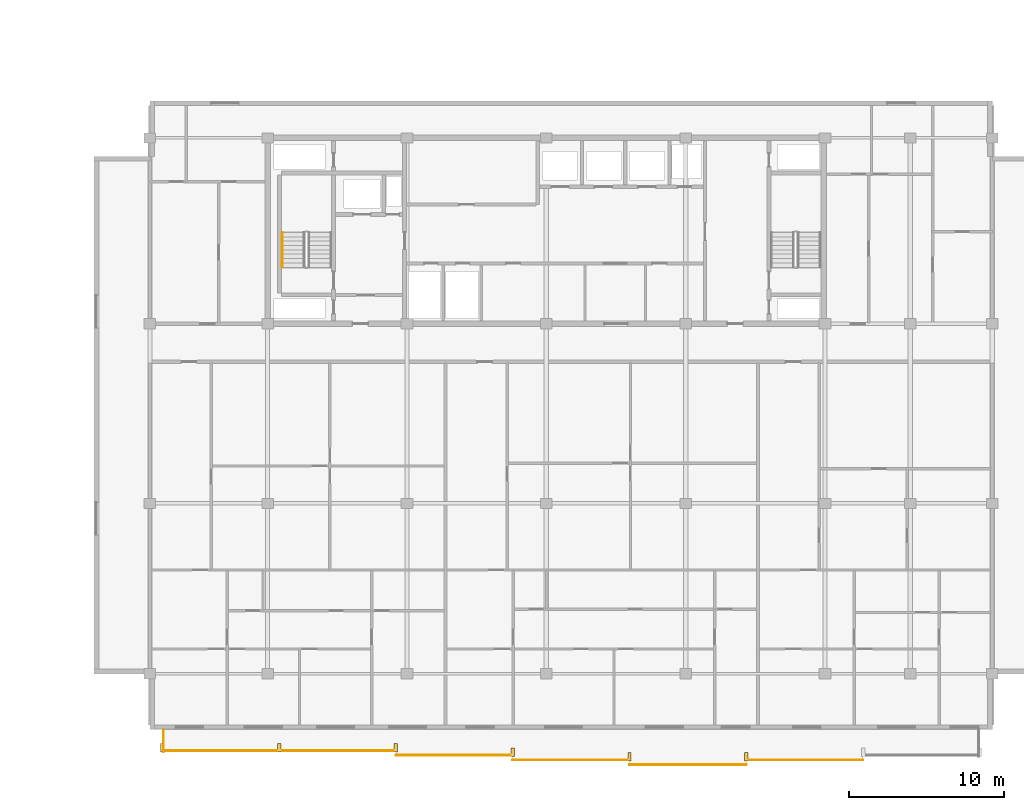
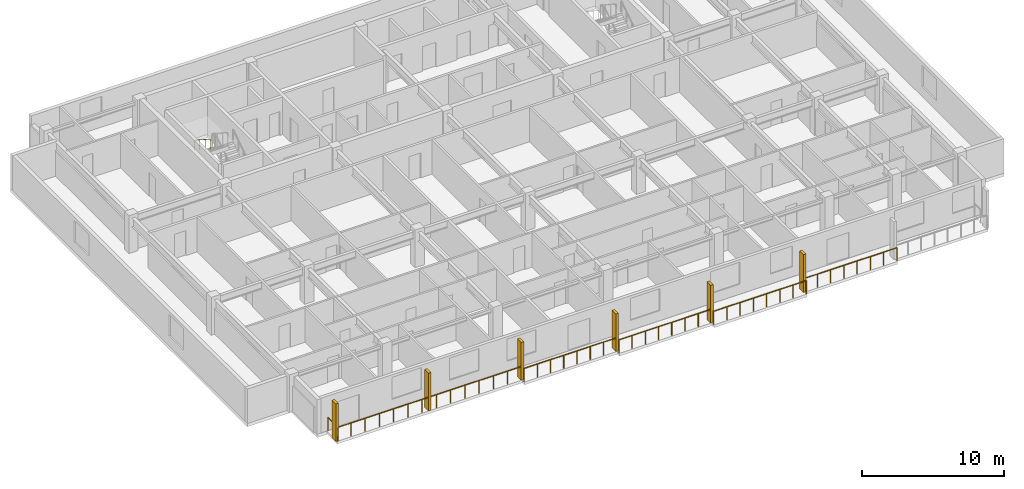
# One storey, part 19 of 23: 7 railings, 6 shading devices.
"""IFC4 building model written with IfcOpenShell, lengths in metres."""

from ifc_helpers import new_model, si_unit, direction, frame, origin, origin_2d, place, context, subcontext, project, spatial, rectangle, circle, extrude, material, type_object, element, save


model = new_model("IFC4")

# Units and contexts
model_context = context("Model", 3, precision=1e-05, world=origin(), true_north=direction((0.0, 1.0)))
body_context = subcontext(model_context, "Body", "Model", "MODEL_VIEW")
ifc_project = project(units=[si_unit("LENGTHUNIT", "METRE"), si_unit("AREAUNIT", "SQUARE_METRE"), si_unit("VOLUMEUNIT", "CUBIC_METRE"), si_unit("PLANEANGLEUNIT", "RADIAN"), si_unit("MASSUNIT", "GRAM", prefix="KILO")], contexts=[model_context])

# Site, building, storey
site_placement = place(None, origin())
site = spatial("IfcSite", under=ifc_project, at=site_placement, CompositionType="ELEMENT")
building_placement = place(site_placement, origin())
building = spatial("IfcBuilding", under=site, at=building_placement, Name="Korimba Cascade Residences", CompositionType="ELEMENT")
storey_placement = place(building_placement, frame((0.0, 0.0, 165.35009765625)))
storey = spatial("IfcBuildingStorey", under=building, at=storey_placement, Name="L47", CompositionType="ELEMENT", Elevation=165.35009765625)

# Railings
ifc_material_1 = material(Name="Laminated Glass and Bronze Balustrade", Category="glass")
railing_type_1 = type_object("IfcRailingType", Name="RLG-LOG-1150", PredefinedType="BALUSTRADE", material=ifc_material_1)
railing_1_placement = place(storey_placement, frame((75.300048828125, -9.169921875, 0.0)))
element("IfcRailing", 1, at=railing_1_placement, inside=storey, type_object=railing_type_1, Name="L47 Perimeter Guardrail RLG-L47-T2-LOG-01", PredefinedType="BALUSTRADE", context=body_context, shape_type="SweptSolid", body=[
    extrude(circle(Radius=0.02392578125, at=origin_2d()), frame((0.0, 0.0, 1.1259765625), z_axis=(1.0, 0.0, 0.0), x_axis=(0.0, 1.0, 0.0)), (0.0, 0.0, 1.0), 15.085693359375),
    extrude(circle(Radius=0.02099609375, at=origin_2d()), origin(), (0.0, 0.0, 1.0), 1.101806640625),
    extrude(circle(Radius=0.02099609375, at=origin_2d()), frame((1.160400390625, 0.0, 0.0)), (0.0, 0.0, 1.0), 1.101806640625),
    extrude(circle(Radius=0.02099609375, at=origin_2d()), frame((2.32080078125, 0.0, 0.0)), (0.0, 0.0, 1.0), 1.101806640625),
    extrude(circle(Radius=0.02099609375, at=origin_2d()), frame((3.481201171875, 0.0, 0.0)), (0.0, 0.0, 1.0), 1.101806640625),
    extrude(circle(Radius=0.02099609375, at=origin_2d()), frame((4.641845703125, 0.0, 0.0)), (0.0, 0.0, 1.0), 1.101806640625),
    extrude(circle(Radius=0.02099609375, at=origin_2d()), frame((5.80224609375, 0.0, 0.0)), (0.0, 0.0, 1.0), 1.101806640625),
    extrude(circle(Radius=0.02099609375, at=origin_2d()), frame((6.962646484375, 0.0, 0.0)), (0.0, 0.0, 1.0), 1.101806640625),
    extrude(circle(Radius=0.02099609375, at=origin_2d()), frame((8.123046875, 0.0, 0.0)), (0.0, 0.0, 1.0), 1.101806640625),
    extrude(circle(Radius=0.02099609375, at=origin_2d()), frame((9.283447265625, 0.0, 0.0)), (0.0, 0.0, 1.0), 1.101806640625),
    extrude(circle(Radius=0.02099609375, at=origin_2d()), frame((10.44384765625, 0.0, 0.0)), (0.0, 0.0, 1.0), 1.101806640625),
    extrude(circle(Radius=0.02099609375, at=origin_2d()), frame((11.6044921875, 0.0, 0.0)), (0.0, 0.0, 1.0), 1.101806640625),
    extrude(circle(Radius=0.02099609375, at=origin_2d()), frame((12.764892578125, 0.0, 0.0)), (0.0, 0.0, 1.0), 1.101806640625),
    extrude(circle(Radius=0.02099609375, at=origin_2d()), frame((13.92529296875, 0.0, 0.0)), (0.0, 0.0, 1.0), 1.101806640625),
    extrude(circle(Radius=0.02099609375, at=origin_2d()), frame((15.085693359375, 0.0, 0.0)), (0.0, 0.0, 1.0), 1.101806640625),
])
railing_2_placement = place(storey_placement, frame((90.3857421875, -9.469970703125, 0.0)))
element("IfcRailing", 2, at=railing_2_placement, inside=storey, type_object=railing_type_1, Name="L47 Perimeter Guardrail RLG-L47-T2-LOG-02", PredefinedType="BALUSTRADE", context=body_context, shape_type="SweptSolid", body=[
    extrude(circle(Radius=0.02392578125, at=origin_2d()), frame((0.0, 0.0, 1.1259765625), z_axis=(1.0, 0.0, 0.0), x_axis=(0.0, 1.0, 0.0)), (0.0, 0.0, 1.0), 7.54296875),
    extrude(circle(Radius=0.02099609375, at=origin_2d()), origin(), (0.0, 0.0, 1.0), 1.101806640625),
    extrude(circle(Radius=0.02099609375, at=origin_2d()), frame((1.07763671875, 0.0, 0.0)), (0.0, 0.0, 1.0), 1.101806640625),
    extrude(circle(Radius=0.02099609375, at=origin_2d()), frame((2.155029296875, 0.0, 0.0)), (0.0, 0.0, 1.0), 1.101806640625),
    extrude(circle(Radius=0.02099609375, at=origin_2d()), frame((3.232666015625, 0.0, 0.0)), (0.0, 0.0, 1.0), 1.101806640625),
    extrude(circle(Radius=0.02099609375, at=origin_2d()), frame((4.310302734375, 0.0, 0.0)), (0.0, 0.0, 1.0), 1.101806640625),
    extrude(circle(Radius=0.02099609375, at=origin_2d()), frame((5.387939453125, 0.0, 0.0)), (0.0, 0.0, 1.0), 1.101806640625),
    extrude(circle(Radius=0.02099609375, at=origin_2d()), frame((6.46533203125, 0.0, 0.0)), (0.0, 0.0, 1.0), 1.101806640625),
    extrude(circle(Radius=0.02099609375, at=origin_2d()), frame((7.54296875, 0.0, 0.0)), (0.0, 0.0, 1.0), 1.101806640625),
])
railing_3_placement = place(storey_placement, frame((97.9287109375, -9.77001953125, 0.0)))
element("IfcRailing", 3, at=railing_3_placement, inside=storey, type_object=railing_type_1, Name="L47 Perimeter Guardrail RLG-L47-T2-LOG-03", PredefinedType="BALUSTRADE", context=body_context, shape_type="SweptSolid", body=[
    extrude(circle(Radius=0.02392578125, at=origin_2d()), frame((0.0, 0.0, 1.1259765625), z_axis=(1.0, 0.0, 0.0), x_axis=(0.0, 1.0, 0.0)), (0.0, 0.0, 1.0), 7.542724609375),
    extrude(circle(Radius=0.02099609375, at=origin_2d()), origin(), (0.0, 0.0, 1.0), 1.101806640625),
    extrude(circle(Radius=0.02099609375, at=origin_2d()), frame((1.07763671875, 0.0, 0.0)), (0.0, 0.0, 1.0), 1.101806640625),
    extrude(circle(Radius=0.02099609375, at=origin_2d()), frame((2.155029296875, 0.0, 0.0)), (0.0, 0.0, 1.0), 1.101806640625),
    extrude(circle(Radius=0.02099609375, at=origin_2d()), frame((3.232666015625, 0.0, 0.0)), (0.0, 0.0, 1.0), 1.101806640625),
    extrude(circle(Radius=0.02099609375, at=origin_2d()), frame((4.31005859375, 0.0, 0.0)), (0.0, 0.0, 1.0), 1.101806640625),
    extrude(circle(Radius=0.02099609375, at=origin_2d()), frame((5.3876953125, 0.0, 0.0)), (0.0, 0.0, 1.0), 1.101806640625),
    extrude(circle(Radius=0.02099609375, at=origin_2d()), frame((6.465087890625, 0.0, 0.0)), (0.0, 0.0, 1.0), 1.101806640625),
    extrude(circle(Radius=0.02099609375, at=origin_2d()), frame((7.542724609375, 0.0, 0.0)), (0.0, 0.0, 1.0), 1.101806640625),
])
railing_4_placement = place(storey_placement, frame((105.471435546875, -10.070068359375, 0.0)))
element("IfcRailing", 4, at=railing_4_placement, inside=storey, type_object=railing_type_1, Name="L47 Perimeter Guardrail RLG-L47-T2-LOG-04", PredefinedType="BALUSTRADE", context=body_context, shape_type="SweptSolid", body=[
    extrude(circle(Radius=0.02392578125, at=origin_2d()), frame((0.0, 0.0, 1.1259765625), z_axis=(1.0, 0.0, 0.0), x_axis=(0.0, 1.0, 0.0)), (0.0, 0.0, 1.0), 7.54296875),
    extrude(circle(Radius=0.02099609375, at=origin_2d()), origin(), (0.0, 0.0, 1.0), 1.101806640625),
    extrude(circle(Radius=0.02099609375, at=origin_2d()), frame((1.07763671875, 0.0, 0.0)), (0.0, 0.0, 1.0), 1.101806640625),
    extrude(circle(Radius=0.02099609375, at=origin_2d()), frame((2.155029296875, 0.0, 0.0)), (0.0, 0.0, 1.0), 1.101806640625),
    extrude(circle(Radius=0.02099609375, at=origin_2d()), frame((3.232666015625, 0.0, 0.0)), (0.0, 0.0, 1.0), 1.101806640625),
    extrude(circle(Radius=0.02099609375, at=origin_2d()), frame((4.310302734375, 0.0, 0.0)), (0.0, 0.0, 1.0), 1.101806640625),
    extrude(circle(Radius=0.02099609375, at=origin_2d()), frame((5.387939453125, 0.0, 0.0)), (0.0, 0.0, 1.0), 1.101806640625),
    extrude(circle(Radius=0.02099609375, at=origin_2d()), frame((6.46533203125, 0.0, 0.0)), (0.0, 0.0, 1.0), 1.101806640625),
    extrude(circle(Radius=0.02099609375, at=origin_2d()), frame((7.54296875, 0.0, 0.0)), (0.0, 0.0, 1.0), 1.101806640625),
])
railing_5_placement = place(storey_placement, frame((113.014404296875, -9.77001953125, 0.0)))
element("IfcRailing", 5, at=railing_5_placement, inside=storey, type_object=railing_type_1, Name="L47 Perimeter Guardrail RLG-L47-T2-LOG-05", PredefinedType="BALUSTRADE", context=body_context, shape_type="SweptSolid", body=[
    extrude(circle(Radius=0.02392578125, at=origin_2d()), frame((0.0, 0.0, 1.1259765625), z_axis=(1.0, 0.0, 0.0), x_axis=(0.0, 1.0, 0.0)), (0.0, 0.0, 1.0), 7.542724609375),
    extrude(circle(Radius=0.02099609375, at=origin_2d()), origin(), (0.0, 0.0, 1.0), 1.101806640625),
    extrude(circle(Radius=0.02099609375, at=origin_2d()), frame((1.07763671875, 0.0, 0.0)), (0.0, 0.0, 1.0), 1.101806640625),
    extrude(circle(Radius=0.02099609375, at=origin_2d()), frame((2.155029296875, 0.0, 0.0)), (0.0, 0.0, 1.0), 1.101806640625),
    extrude(circle(Radius=0.02099609375, at=origin_2d()), frame((3.232666015625, 0.0, 0.0)), (0.0, 0.0, 1.0), 1.101806640625),
    extrude(circle(Radius=0.02099609375, at=origin_2d()), frame((4.31005859375, 0.0, 0.0)), (0.0, 0.0, 1.0), 1.101806640625),
    extrude(circle(Radius=0.02099609375, at=origin_2d()), frame((5.3876953125, 0.0, 0.0)), (0.0, 0.0, 1.0), 1.101806640625),
    extrude(circle(Radius=0.02099609375, at=origin_2d()), frame((6.465087890625, 0.0, 0.0)), (0.0, 0.0, 1.0), 1.101806640625),
    extrude(circle(Radius=0.02099609375, at=origin_2d()), frame((7.542724609375, 0.0, 0.0)), (0.0, 0.0, 1.0), 1.101806640625),
])
railing_6_placement = place(storey_placement, frame((75.3798828125, -7.800048828125, 0.0)))
element("IfcRailing", 6, at=railing_6_placement, inside=storey, type_object=railing_type_1, Name="L47 Perimeter Guardrail RLG-L47-T2-LOG-08", PredefinedType="BALUSTRADE", context=body_context, shape_type="SweptSolid", body=[
    extrude(circle(Radius=0.02392578125, at=origin_2d()), frame((0.0, 0.0, 1.1259765625), z_axis=(0.0, -1.0, 0.0), x_axis=(1.0, 0.0, 0.0)), (0.0, 0.0, 1.0), 1.449951171875),
    extrude(circle(Radius=0.02099609375, at=origin_2d()), origin(), (0.0, 0.0, 1.0), 1.101806640625),
    extrude(circle(Radius=0.02099609375, at=origin_2d()), frame((0.0, -0.72509765625, 0.0)), (0.0, 0.0, 1.0), 1.101806640625),
    extrude(circle(Radius=0.02099609375, at=origin_2d()), frame((0.0, -1.449951171875, 0.0)), (0.0, 0.0, 1.0), 1.101806640625),
])
ifc_material_2 = material(Name="Brushed Stainless Steel Handrail", Category="steel")
railing_type_2 = type_object("IfcRailingType", Name="RLG-ST-HR900", PredefinedType="HANDRAIL", material=ifc_material_2)
railing_7_placement = place(storey_placement, frame((83.050048828125, 24.2900390625, 1.98974609375)))
element("IfcRailing", 7, at=railing_7_placement, inside=storey, type_object=railing_type_2, Name="L47 ST-E1 stair handrail 2", PredefinedType="HANDRAIL", context=body_context, shape_type="SweptSolid", body=[
    extrude(circle(Radius=0.02392578125, at=origin_2d()), frame((0.0, 0.0, 0.8759765625), z_axis=(0.0, -0.840394893359, 0.541974559565), x_axis=(1.0, 0.0, 0.0)), (0.0, 0.0, 1.0), 2.665283203125),
    extrude(circle(Radius=0.02099609375, at=origin_2d()), origin(), (0.0, 0.0, 1.0), 0.851806640625),
    extrude(circle(Radius=0.02099609375, at=origin_2d()), frame((0.0, -0.74658203125, 0.4814453125)), (0.0, 0.0, 1.0), 0.851806640625),
    extrude(circle(Radius=0.02099609375, at=origin_2d()), frame((0.0, -1.493408203125, 0.963134765625)), (0.0, 0.0, 1.0), 0.851806640625),
    extrude(circle(Radius=0.02099609375, at=origin_2d()), frame((0.0, -2.239990234375, 1.444580078125)), (0.0, 0.0, 1.0), 0.851806640625),
])

# Shading devices
ifc_material_3 = material(Name="Honed Sandstone Precast Fin", Category="masonry")
shading_device_type = type_object("IfcShadingDeviceType", Name="SHD-FIN-550", PredefinedType="USERDEFINED", material=ifc_material_3)
for number, where, z_axis, x_axis, name in (
    (8, (75.300048828125, -8.97509765625, 0.0), (0.0, 0.0, 1.0), (1.0, 0.0, 0.0), "L47 T2 Warm-Stone Loggia Fin 1"),
    (9, (82.843017578125, -8.97509765625, 0.0), (0.0, 0.0, 1.0), (1.0, 0.0, 0.0), "L47 T2 Warm-Stone Loggia Fin 2"),
    (10, (90.3857421875, -8.97509765625, 0.0), (0.0, 0.0, 1.0), (1.0, 0.0, 0.0), "L47 T2 Warm-Stone Loggia Fin 3"),
    (11, (97.9287109375, -9.27490234375, 0.0), (0.0, 0.0, 1.0), (1.0, 0.0, 0.0), "L47 T2 Warm-Stone Loggia Fin 4"),
    (12, (105.471435546875, -9.574951171875, 0.0), (0.0, 0.0, 1.0), (1.0, 0.0, 0.0), "L47 T2 Warm-Stone Loggia Fin 5"),
    (13, (113.014404296875, -9.574951171875, 0.0), (0.0, 0.0, 1.0), (1.0, 0.0, 0.0), "L47 T2 Warm-Stone Loggia Fin 6"),
):
    element("IfcShadingDevice", number, at=place(storey_placement, frame(where, z_axis=z_axis, x_axis=x_axis)), inside=storey, type_object=shading_device_type, Name=name, ObjectType="FIN", PredefinedType="USERDEFINED", context=body_context, shape_type="SweptSolid", body=[
        extrude(rectangle(XDim=0.219970703125, YDim=0.550048828125, at=origin_2d()), origin(), (0.0, 0.0, 1.0), 3.25),
    ])

save(model, "model.ifc")
